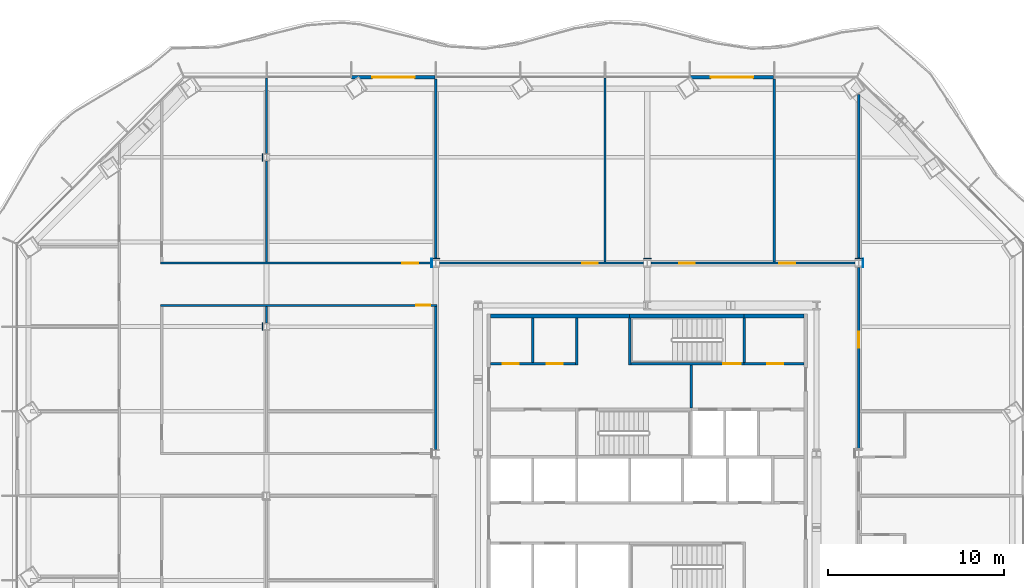
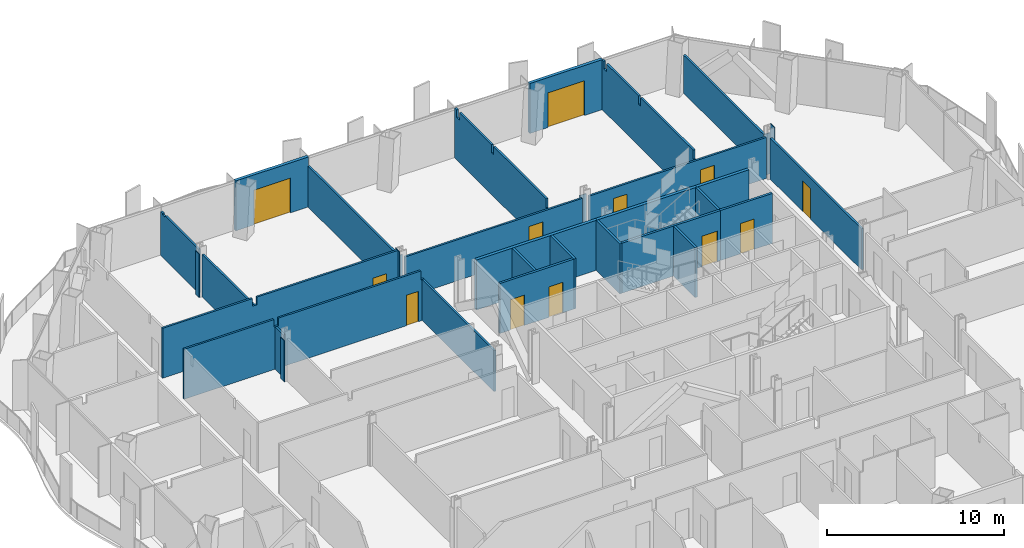
# One storey, part 12 of 20: 33 walls, 12 doors, 12 openings.
"""IFC4 building model written with IfcOpenShell, lengths in metres."""

import ifcopenshell
import ifcopenshell.guid

model = None  # the IFC model being written
_history = None  # IfcOwnerHistory: only IFC2X3 demands one
_inside = {}  # id of a spatial element -> (the spatial element, [elements in it])
_under = {}  # id of a project, library or spatial element -> (it, [spatial elements below it])
_declared = {}  # id of a project -> (the project, [libraries it declares])
_typed = {}  # id of a type object -> (the type object, [elements of that type])
_made_of = {}  # id of a material, layer set ... -> (it, [elements and type objects made of it])


def new_model(schema):
    """Start an empty IFC model of exactly this schema.

    Asked for "IFC4X3", IfcOpenShell would pick the latest addendum, in which some entities
    have other attributes; the version numbers below select the first issue.
    IFC2X3 requires an IfcOwnerHistory on every rooted entity: one is made here for all.
    """
    global model, _history
    if schema == "IFC4X3":
        model = ifcopenshell.file(schema_version=(4, 3, 0, 0))
    else:
        model = ifcopenshell.file(schema=schema)
    _inside.clear()
    _under.clear()
    _declared.clear()
    _typed.clear()
    _made_of.clear()
    _history = None
    if model.schema == "IFC2X3":
        org = make("IfcOrganization", Name="unknown")
        user = make(
            "IfcPersonAndOrganization",
            ThePerson=make("IfcPerson", FamilyName="unknown"),
            TheOrganization=org,
        )
        app = make(
            "IfcApplication",
            ApplicationDeveloper=org,
            Version="unknown",
            ApplicationFullName="unknown",
            ApplicationIdentifier="unknown",
        )
        _history = make(
            "IfcOwnerHistory",
            OwningUser=user,
            OwningApplication=app,
            ChangeAction="ADDED",
            CreationDate=0,
        )
    return model


def make(cls, **values):
    """One entity of the class cls with the attributes given. An attribute that is None is left unset."""
    return model.create_entity(
        cls, **{name: value for name, value in values.items() if value is not None}
    )


def rooted(cls, **values):
    """An entity with a GlobalId (a new one), such as an element, a storey or a relation."""
    return make(cls, GlobalId=ifcopenshell.guid.new(), OwnerHistory=_history, **values)


def si_unit(unit_type, name, prefix=None):
    """IfcSIUnit, for example si_unit("LENGTHUNIT", "METRE", prefix="MILLI")."""
    return make("IfcSIUnit", UnitType=unit_type, Prefix=prefix, Name=name)


def assignment(units):
    """IfcUnitAssignment: the units of a project."""
    return None if units is None else make("IfcUnitAssignment", Units=units)


def point(xyz):
    """IfcCartesianPoint."""
    return None if xyz is None else make("IfcCartesianPoint", Coordinates=xyz)


def direction(xyz):
    """IfcDirection."""
    return None if xyz is None else make("IfcDirection", DirectionRatios=xyz)


def frame(location, z_axis=None, x_axis=None):
    """IfcAxis2Placement3D, a coordinate frame: its origin and axes. An axis left out is left unset."""
    return make(
        "IfcAxis2Placement3D",
        Location=point(location),
        Axis=direction(z_axis),
        RefDirection=direction(x_axis),
    )


def frame_2d(location, x_axis=None):
    """IfcAxis2Placement2D, a coordinate frame in the plane: its origin and x axis."""
    return make(
        "IfcAxis2Placement2D", Location=point(location), RefDirection=direction(x_axis)
    )


def origin():
    """The frame at (0, 0, 0) with its axes left unset."""
    return frame((0.0, 0.0, 0.0))


def place(relative_to, where):
    """IfcLocalPlacement: puts the frame where relative to a parent placement (None: the world)."""
    return make(
        "IfcLocalPlacement", PlacementRelTo=relative_to, RelativePlacement=where
    )


def context(
    kind, dimensions, precision=None, world=None, true_north=None, identifier=None
):
    """IfcGeometricRepresentationContext, for example the 3D "Model" context."""
    return make(
        "IfcGeometricRepresentationContext",
        ContextIdentifier=identifier,
        ContextType=kind,
        CoordinateSpaceDimension=dimensions,
        Precision=precision,
        WorldCoordinateSystem=world,
        TrueNorth=true_north,
    )


def subcontext(parent, identifier, kind, view, scale=None):
    """IfcGeometricRepresentationSubContext, for example "Body" below "Model"."""
    return make(
        "IfcGeometricRepresentationSubContext",
        ContextIdentifier=identifier,
        ContextType=kind,
        ParentContext=parent,
        TargetScale=scale,
        TargetView=view,
    )


def project(units=None, contexts=None):
    """IfcProject with its units and contexts."""
    return rooted(
        "IfcProject",
        Name="project",
        RepresentationContexts=contexts,
        UnitsInContext=assignment(units),
    )


def spatial(cls, under=None, at=None, **own):
    """A site, building, storey or space (cls), placed at a placement, below another one or the project."""
    s = rooted(cls, ObjectPlacement=at, **own)
    if under is not None:
        _under.setdefault(under.id(), (under, []))[1].append(s)
    return s


def polyline(points):
    """IfcPolyline through the points."""
    return make("IfcPolyline", Points=[point(p) for p in points])


def profile(cls, at=None, kind="AREA", **sizes):
    """A parametric profile (cls). Its sizes go by their IFC names, for example OverallWidth=200.0."""
    return make(cls, ProfileType=kind, Position=at, **sizes)


def rectangle(**sizes):
    """IfcRectangleProfileDef."""
    return profile("IfcRectangleProfileDef", **sizes)


def outline(outer, holes=None, kind="AREA"):
    """IfcArbitraryClosedProfileDef: a profile drawn as a closed curve; with holes, ...WithVoids."""
    if holes is None:
        return make("IfcArbitraryClosedProfileDef", ProfileType=kind, OuterCurve=outer)
    return make(
        "IfcArbitraryProfileDefWithVoids",
        ProfileType=kind,
        OuterCurve=outer,
        InnerCurves=holes,
    )


def extrude(swept, where, along, depth):
    """IfcExtrudedAreaSolid: the profile swept, set in the frame where, extruded along a direction by depth."""
    return make(
        "IfcExtrudedAreaSolid",
        SweptArea=swept,
        Position=where,
        ExtrudedDirection=direction(along),
        Depth=depth,
    )


def shape(context_of_items, identifier, shape_type, items):
    """IfcShapeRepresentation: the items that make up one representation, for example the "Body"."""
    return make(
        "IfcShapeRepresentation",
        ContextOfItems=context_of_items,
        RepresentationIdentifier=identifier,
        RepresentationType=shape_type,
        Items=items,
    )


def material(Name=None, Category=None):
    """IfcMaterial."""
    return make("IfcMaterial", Name=Name, Category=Category)


def layer(
    of_material, thickness, ventilated=None, Name=None, Category=None, Priority=None
):
    """IfcMaterialLayer: one layer of a wall or slab, of a material (None: an air gap)."""
    return make(
        "IfcMaterialLayer",
        Material=of_material,
        LayerThickness=thickness,
        IsVentilated=ventilated,
        Name=Name,
        Category=Category,
        Priority=Priority,
    )


def layer_set(layers, Name=None):
    """IfcMaterialLayerSet."""
    return make("IfcMaterialLayerSet", MaterialLayers=layers, LayerSetName=Name)


def made_of(thing, what):
    """Note that an element or type object is made of a material, layer set ...; save() writes the relation."""
    if what is not None:
        _made_of.setdefault(what.id(), (what, []))[1].append(thing)
    return thing


def type_object(cls, material=None, **own):
    """A type object (cls), such as IfcWallType, which elements share."""
    return made_of(rooted(cls, **own), material)


def element(
    cls,
    number,
    at=None,
    inside=None,
    cuts=None,
    type_object=None,
    material=None,
    context=None,
    identifier="Body",
    shape_type=None,
    held_by="IfcProductDefinitionShape",
    body=None,
    shapes=None,
    **own,
):
    """One element of the class cls, such as IfcWall. Its Tag is "e" and its number.

    at: its placement. inside: the storey or other place that contains it. cuts: it is an
    opening in that element (IfcRelVoidsElement). A single representation is given by context,
    identifier, shape_type and body (its items); several are given by shapes. held_by: the class
    of the entity that holds the representations. save() writes the other relations.
    """
    e = rooted(cls, Tag="e%d" % number, ObjectPlacement=at, **own)
    if body is not None:
        shapes = [shape(context, identifier, shape_type, body)]
    if shapes is not None:
        e.Representation = make(held_by, Representations=shapes)
    if inside is not None:
        _inside.setdefault(inside.id(), (inside, []))[1].append(e)
    if cuts is not None:
        rooted(
            "IfcRelVoidsElement", RelatingBuildingElement=cuts, RelatedOpeningElement=e
        )
    if type_object is not None:
        _typed.setdefault(type_object.id(), (type_object, []))[1].append(e)
    return made_of(e, material)


def fill(opening, filler):
    """IfcRelFillsElement: the door or window that sits in an opening."""
    return rooted(
        "IfcRelFillsElement",
        RelatingOpeningElement=opening,
        RelatedBuildingElement=filler,
    )


def aggregate(whole, parts):
    """IfcRelAggregates: a whole, such as a stair, and the parts it consists of."""
    return rooted("IfcRelAggregates", RelatingObject=whole, RelatedObjects=parts)


def save(model, path):
    """Write the relations noted so far, then the file.

    IfcRelAggregates (storeys below a building ...), IfcRelContainedInSpatialStructure (elements
    in a storey), IfcRelDefinesByType, IfcRelAssociatesMaterial and IfcRelDeclares: one each for
    every whole, place, type object, material and project.
    """
    for whole, parts in _under.values():
        aggregate(whole, parts)
    for where, things in _inside.values():
        rooted(
            "IfcRelContainedInSpatialStructure",
            RelatedElements=things,
            RelatingStructure=where,
        )
    for kind, things in _typed.values():
        rooted("IfcRelDefinesByType", RelatedObjects=things, RelatingType=kind)
    for what, things in _made_of.values():
        rooted("IfcRelAssociatesMaterial", RelatedObjects=things, RelatingMaterial=what)
    for by, libraries in _declared.values():
        rooted("IfcRelDeclares", RelatingContext=by, RelatedDefinitions=libraries)
    model.write(path)


model = new_model("IFC4")

# Units and contexts
model_context = context("Model", 3, precision=1e-05, world=origin(), true_north=direction((0.0, 1.0)))
body_context = subcontext(model_context, "Body", "Model", "MODEL_VIEW")
ifc_project = project(units=[si_unit("LENGTHUNIT", "METRE"), si_unit("AREAUNIT", "SQUARE_METRE"), si_unit("VOLUMEUNIT", "CUBIC_METRE"), si_unit("PLANEANGLEUNIT", "RADIAN"), si_unit("MASSUNIT", "GRAM", prefix="KILO")], contexts=[model_context])

# Site, building, storey
site_placement = place(None, origin())
site = spatial("IfcSite", under=ifc_project, at=site_placement, CompositionType="ELEMENT")
building_placement = place(site_placement, origin())
building = spatial("IfcBuilding", under=site, at=building_placement, Name="Cairn Pilgrim Tower", CompositionType="ELEMENT")
storey_placement = place(building_placement, frame((0.0, 0.0, 87.0)))
storey = spatial("IfcBuildingStorey", under=building, at=storey_placement, Name="L20", CompositionType="ELEMENT", Elevation=87.0)

# Wall, opening, door
ifc_material_1 = material(Name="Bronze anodised aluminium insulated sandwich panel with mineral wool fill", Category="aluminium")
ifc_layer_1 = layer(ifc_material_1, 0.199951171875)
ifc_layer_set_1 = layer_set([ifc_layer_1], Name="BRONZE INFILL FRAME WALL 200")
wall_type_1 = type_object("IfcWallType", Name="BRONZE INFILL FRAME WALL 200", PredefinedType="NOTDEFINED", material=ifc_layer_set_1)
wall_1_placement = place(storey_placement, frame((14.3701171875, 23.75, 0.0), z_axis=(0.0, 0.0, 1.0), x_axis=(-1.0, 0.0, 0.0)))
wall_1 = element("IfcWall", 1, at=wall_1_placement, inside=storey, type_object=wall_type_1, Name="Bronze infill frame wall IW-N2", PredefinedType="NOTDEFINED", context=body_context, shape_type="SweptSolid", body=[
    extrude(rectangle(XDim=4.740234375, YDim=0.199951171875, at=frame_2d((2.3701171875, 0.0))), origin(), (0.0, 0.0, 1.0), 3.449951171875),
])
opening_1_placement = place(wall_1_placement, frame((1.169921875, 0.0, 0.0)))
opening_1 = element("IfcOpeningElement", 2, at=opening_1_placement, cuts=wall_1, Name="Opening 2018B", PredefinedType="OPENING", context=body_context, shape_type="SweptSolid", body=[
    extrude(rectangle(XDim=2.39990234375, YDim=2.39990234375, at=frame_2d((1.199951171875, 1.199951171875))), frame((0.0, 0.10986328125, 0.0), z_axis=(0.0, -1.0, 0.0), x_axis=(1.0, 0.0, 0.0)), (0.0, 0.0, 1.0), 0.219970703125),
])
ifc_material_2 = material(Name="Bronze anodised aluminium frame with tinted low-E glass", Category="aluminium")
door_type_1 = type_object("IfcDoorType", Name="BALCONY SLIDING DOOR 2400x2400", OperationType="DOUBLE_DOOR_SLIDING", PredefinedType="DOOR", material=ifc_material_2)
door_1_placement = place(opening_1_placement, origin())
door_1 = element("IfcDoor", 3, at=door_1_placement, inside=storey, type_object=door_type_1, Name="Balcony sliding door 2018B", OperationType="SINGLE_SWING_LEFT", OverallHeight=2.39990234375, OverallWidth=2.39990234375, PredefinedType="DOOR", context=body_context, shape_type="SweptSolid", body=[
    extrude(rectangle(XDim=2.39990234375, YDim=2.39990234375, at=frame_2d((1.199951171875, 1.199951171875))), frame((0.0, 0.02490234375, 0.0), z_axis=(0.0, -1.0, 0.0), x_axis=(1.0, 0.0, 0.0)), (0.0, 0.0, 1.0), 0.050048828125),
])
fill(opening_1, door_1)

wall_2_placement = place(storey_placement, frame((-4.830078125, 23.75, 0.0), z_axis=(0.0, 0.0, 1.0), x_axis=(-1.0, 0.0, 0.0)))
wall_2 = element("IfcWall", 4, at=wall_2_placement, inside=storey, type_object=wall_type_1, Name="Bronze infill frame wall IW-N6", PredefinedType="NOTDEFINED", context=body_context, shape_type="SweptSolid", body=[
    extrude(rectangle(XDim=4.739990234375, YDim=0.199951171875, at=frame_2d((2.3701171875, 0.0))), origin(), (0.0, 0.0, 1.0), 3.449951171875),
])
opening_2_placement = place(wall_2_placement, frame((1.169921875, 0.0, 0.0)))
opening_2 = element("IfcOpeningElement", 5, at=opening_2_placement, cuts=wall_2, Name="Opening 2016B", PredefinedType="OPENING", context=body_context, shape_type="SweptSolid", body=[
    extrude(rectangle(XDim=2.39990234375, YDim=2.39990234375, at=frame_2d((1.199951171875, 1.199951171875))), frame((0.0, 0.10986328125, 0.0), z_axis=(0.0, -1.0, 0.0), x_axis=(1.0, 0.0, 0.0)), (0.0, 0.0, 1.0), 0.219970703125),
])
door_2_placement = place(opening_2_placement, origin())
door_2 = element("IfcDoor", 6, at=door_2_placement, inside=storey, type_object=door_type_1, Name="Balcony sliding door 2016B", OperationType="SINGLE_SWING_LEFT", OverallHeight=2.39990234375, OverallWidth=2.39990234375, PredefinedType="DOOR", context=body_context, shape_type="SweptSolid", body=[
    extrude(rectangle(XDim=2.39990234375, YDim=2.39990234375, at=frame_2d((1.199951171875, 1.199951171875))), frame((0.0, 0.02490234375, 0.0), z_axis=(0.0, -1.0, 0.0), x_axis=(1.0, 0.0, 0.0)), (0.0, 0.0, 1.0), 0.050048828125),
])
fill(opening_2, door_2)

# Walls
ifc_material_3 = material(Name="Concrete C32/40", Category="concrete")
ifc_layer_2 = layer(ifc_material_3, 0.199951171875)
ifc_layer_set_2 = layer_set([ifc_layer_2], Name="CORE OUTER WALL 200 EI 120")
wall_type_2 = type_object("IfcWallType", Name="CORE OUTER WALL 200 EI 120", PredefinedType="SOLIDWALL", material=ifc_layer_set_2)
wall_3_placement = place(storey_placement, frame((-1.699951171875, 10.199951171875, 0.0), z_axis=(0.0, 0.0, 1.0), x_axis=(1.0, 0.0, 0.0)))
element("IfcWall", 7, at=wall_3_placement, inside=storey, type_object=wall_type_2, Name="CW:L20:H11-1", PredefinedType="SOLIDWALL", context=body_context, shape_type="SweptSolid", body=[
    extrude(rectangle(XDim=7.89990234375, YDim=0.199951171875, at=frame_2d((3.949951171875, 0.0))), origin(), (0.0, 0.0, 1.0), 3.449951171875),
])
wall_4_placement = place(storey_placement, frame((12.699951171875, 10.199951171875, 0.0), z_axis=(0.0, 0.0, 1.0), x_axis=(1.0, 0.0, 0.0)))
element("IfcWall", 8, at=wall_4_placement, inside=storey, type_object=wall_type_2, Name="CW:L20:H11-3", PredefinedType="SOLIDWALL", context=body_context, shape_type="SweptSolid", body=[
    extrude(rectangle(XDim=3.400146484375, YDim=0.199951171875, at=frame_2d((1.7001953125, 0.0))), origin(), (0.0, 0.0, 1.0), 3.449951171875),
])

# Wall, openings, doors
ifc_layer_3 = layer(ifc_material_3, 0.14990234375)
ifc_layer_set_3 = layer_set([ifc_layer_3], Name="CORE PARTITION 150 EI 60")
wall_type_3 = type_object("IfcWallType", Name="CORE PARTITION 150 EI 60", PredefinedType="PARTITIONING", material=ifc_layer_set_3)
wall_5_placement = place(storey_placement, frame((-1.699951171875, 7.5, 0.0), z_axis=(0.0, 0.0, 1.0), x_axis=(1.0, 0.0, 0.0)))
wall_5 = element("IfcWall", 9, at=wall_5_placement, inside=storey, type_object=wall_type_3, Name="CW:L20:H09", PredefinedType="PARTITIONING", context=body_context, shape_type="SweptSolid", body=[
    extrude(rectangle(XDim=4.824951171875, YDim=0.14990234375, at=frame_2d((2.41259765625, 0.0))), origin(), (0.0, 0.0, 1.0), 3.449951171875),
])
opening_3_placement = place(wall_5_placement, frame((0.699951171875, 0.0, 0.0)))
opening_3 = element("IfcOpeningElement", 10, at=opening_3_placement, cuts=wall_5, Name="Opening RD-R4W1", PredefinedType="OPENING", context=body_context, shape_type="SweptSolid", body=[
    extrude(rectangle(XDim=0.89990234375, YDim=2.10009765625, at=frame_2d((0.449951171875, 1.050048828125))), frame((0.0, 0.0849609375, 0.0), z_axis=(0.0, -1.0, 0.0), x_axis=(1.0, 0.0, 0.0)), (0.0, 0.0, 1.0), 0.169921875),
])
opening_4_placement = place(wall_5_placement, frame((3.199951171875, 0.0, 0.0)))
opening_4 = element("IfcOpeningElement", 11, at=opening_4_placement, cuts=wall_5, Name="Opening RD-R4W2", PredefinedType="OPENING", context=body_context, shape_type="SweptSolid", body=[
    extrude(rectangle(XDim=0.89990234375, YDim=2.10009765625, at=frame_2d((0.449951171875, 1.050048828125))), frame((0.0, 0.0849609375, 0.0), z_axis=(0.0, -1.0, 0.0), x_axis=(1.0, 0.0, 0.0)), (0.0, 0.0, 1.0), 0.169921875),
])
ifc_material_4 = material(Name="Painted steel", Category="steel")
door_type_2 = type_object("IfcDoorType", Name="SERVICE ROOM DOOR 900x2100", OperationType="SINGLE_SWING_LEFT", PredefinedType="DOOR", material=ifc_material_4)
door_3_placement = place(opening_3_placement, origin())
door_3 = element("IfcDoor", 12, at=door_3_placement, inside=storey, type_object=door_type_2, Name="RD-R4W1", OperationType="SINGLE_SWING_RIGHT", OverallHeight=2.10009765625, OverallWidth=0.89990234375, PredefinedType="DOOR", context=body_context, shape_type="SweptSolid", body=[
    extrude(rectangle(XDim=0.89990234375, YDim=2.10009765625, at=frame_2d((0.449951171875, 1.050048828125))), frame((0.0, 0.02490234375, 0.0), z_axis=(0.0, -1.0, 0.0), x_axis=(1.0, 0.0, 0.0)), (0.0, 0.0, 1.0), 0.050048828125),
])
fill(opening_3, door_3)
door_4_placement = place(opening_4_placement, origin())
door_4 = element("IfcDoor", 13, at=door_4_placement, inside=storey, type_object=door_type_2, Name="RD-R4W2", OperationType="SINGLE_SWING_LEFT", OverallHeight=2.10009765625, OverallWidth=0.89990234375, PredefinedType="DOOR", context=body_context, shape_type="SweptSolid", body=[
    extrude(rectangle(XDim=0.89990234375, YDim=2.10009765625, at=frame_2d((0.449951171875, 1.050048828125))), frame((0.0, 0.02490234375, 0.0), z_axis=(0.0, -1.0, 0.0), x_axis=(1.0, 0.0, 0.0)), (0.0, 0.0, 1.0), 0.050048828125),
])
fill(opening_4, door_4)

# Walls
wall_6_placement = place(storey_placement, frame((0.699951171875, 7.574951171875, 0.0), z_axis=(0.0, 0.0, 1.0), x_axis=(0.0, 1.0, 0.0)))
element("IfcWall", 14, at=wall_6_placement, inside=storey, type_object=wall_type_3, Name="CW:L20:V15", PredefinedType="PARTITIONING", context=body_context, shape_type="SweptSolid", body=[
    extrude(rectangle(XDim=2.525146484375, YDim=0.14990234375, at=frame_2d((1.2626953125, 0.0))), origin(), (0.0, 0.0, 1.0), 3.449951171875),
])
wall_7_placement = place(storey_placement, frame((3.199951171875, 7.425048828125, 0.0), z_axis=(0.0, 0.0, 1.0), x_axis=(0.0, 1.0, 0.0)))
element("IfcWall", 15, at=wall_7_placement, inside=storey, type_object=wall_type_3, Name="CW:L20:V19", PredefinedType="PARTITIONING", context=body_context, shape_type="SweptSolid", body=[
    extrude(rectangle(XDim=2.675048828125, YDim=0.14990234375, at=frame_2d((1.33740234375, 0.0))), origin(), (0.0, 0.0, 1.0), 3.449951171875),
])

# Wall, opening, door
ifc_layer_4 = layer(ifc_material_3, 0.14990234375)
ifc_layer_set_4 = layer_set([ifc_layer_4], Name="CORE SHAFT WALL 150 EI 120")
wall_type_4 = type_object("IfcWallType", Name="CORE SHAFT WALL 150 EI 120", PredefinedType="SOLIDWALL", material=ifc_layer_set_4)
wall_8_placement = place(storey_placement, frame((12.699951171875, 7.5, 0.0), z_axis=(0.0, 0.0, 1.0), x_axis=(1.0, 0.0, 0.0)))
wall_8 = element("IfcWall", 16, at=wall_8_placement, inside=storey, type_object=wall_type_4, Name="CW:L20:H10-2", PredefinedType="SOLIDWALL", context=body_context, shape_type="SweptSolid", body=[
    extrude(rectangle(XDim=3.400146484375, YDim=0.14990234375, at=frame_2d((1.7001953125, 0.0))), origin(), (0.0, 0.0, 1.0), 3.449951171875),
])
opening_5_placement = place(wall_8_placement, frame((1.300048828125, 0.0, 0.0)))
opening_5 = element("IfcOpeningElement", 17, at=opening_5_placement, cuts=wall_8, Name="Opening RD-R4E", PredefinedType="OPENING", context=body_context, shape_type="SweptSolid", body=[
    extrude(rectangle(XDim=0.89990234375, YDim=2.10009765625, at=frame_2d((0.449951171875, 1.050048828125))), frame((0.0, 0.0849609375, 0.0), z_axis=(0.0, -1.0, 0.0), x_axis=(1.0, 0.0, 0.0)), (0.0, 0.0, 1.0), 0.169921875),
])
door_5_placement = place(opening_5_placement, origin())
door_5 = element("IfcDoor", 18, at=door_5_placement, inside=storey, type_object=door_type_2, Name="RD-R4E", OperationType="SINGLE_SWING_RIGHT", OverallHeight=2.10009765625, OverallWidth=0.89990234375, PredefinedType="DOOR", context=body_context, shape_type="SweptSolid", body=[
    extrude(rectangle(XDim=0.89990234375, YDim=2.10009765625, at=frame_2d((0.449951171875, 1.050048828125))), frame((0.0, 0.02490234375, 0.0), z_axis=(0.0, -1.0, 0.0), x_axis=(1.0, 0.0, 0.0)), (0.0, 0.0, 1.0), 0.050048828125),
])
fill(opening_5, door_5)

# Walls
wall_9_placement = place(storey_placement, frame((9.699951171875, 4.97509765625, 0.0), z_axis=(0.0, 0.0, 1.0), x_axis=(0.0, 1.0, 0.0)))
element("IfcWall", 19, at=wall_9_placement, inside=storey, type_object=wall_type_4, Name="CW:L20:V25", PredefinedType="SOLIDWALL", context=body_context, shape_type="SweptSolid", body=[
    extrude(rectangle(XDim=2.449951171875, YDim=0.14990234375, at=frame_2d((1.22509765625, 0.0))), origin(), (0.0, 0.0, 1.0), 3.449951171875),
])
ifc_material_5 = material(Name="Gypsum partition")
ifc_layer_5 = layer(ifc_material_5, 0.125)
ifc_layer_set_5 = layer_set([ifc_layer_5], Name="PARTITION 125 DRYWALL EI 60")
wall_type_5 = type_object("IfcWallType", Name="PARTITION 125 DRYWALL EI 60", PredefinedType="PARTITIONING", material=ifc_layer_set_5)
wall_10_placement = place(storey_placement, frame((-4.800048828125, 2.636962890625, 0.0), z_axis=(0.0, 0.0, 1.0), x_axis=(0.0, 1.0, 0.0)))
element("IfcWall", 20, at=wall_10_placement, inside=storey, type_object=wall_type_5, Name="PARTITION W062", PredefinedType="PARTITIONING", context=body_context, shape_type="SweptSolid", body=[
    extrude(rectangle(XDim=8.1005859375, YDim=0.125, at=frame_2d((4.05029296875, 0.0))), origin(), (0.0, 0.0, 1.0), 2.830078125),
])

# Wall, opening, door
wall_11_placement = place(storey_placement, frame((19.199951171875, 2.636962890625, 0.0), z_axis=(0.0, 0.0, 1.0), x_axis=(0.0, 1.0, 0.0)))
wall_11 = element("IfcWall", 21, at=wall_11_placement, inside=storey, type_object=wall_type_5, Name="PARTITION W063", PredefinedType="PARTITIONING", context=body_context, shape_type="SweptSolid", body=[
    extrude(rectangle(XDim=10.325927734375, YDim=0.125, at=frame_2d((5.1630859375, 0.0))), origin(), (0.0, 0.0, 1.0), 2.830078125),
])
opening_6_placement = place(wall_11_placement, frame((5.762939453125, 0.0, 0.0)))
opening_6 = element("IfcOpeningElement", 22, at=opening_6_placement, cuts=wall_11, Name="Opening 2023", PredefinedType="OPENING", context=body_context, shape_type="SweptSolid", body=[
    extrude(rectangle(XDim=0.89990234375, YDim=2.10009765625, at=frame_2d((0.449951171875, 1.050048828125))), frame((0.0, 0.072509765625, 0.0), z_axis=(0.0, -1.0, 0.0), x_axis=(1.0, 0.0, 0.0)), (0.0, 0.0, 1.0), 0.14501953125),
])
ifc_material_6 = material(Name="Steel-faced fire door leaf", Category="steel")
door_type_3 = type_object("IfcDoorType", Name="FIRE DOOR 900x2100 FD30S", OperationType="NOTDEFINED", PredefinedType="DOOR", material=ifc_material_6)
door_6_placement = place(opening_6_placement, frame((0.89990234375, 0.0, 0.0), z_axis=(0.0, 0.0, 1.0), x_axis=(-1.0, 0.0, 0.0)))
door_6 = element("IfcDoor", 23, at=door_6_placement, inside=storey, type_object=door_type_3, Name="DOOR 2023", OperationType="SINGLE_SWING_RIGHT", OverallHeight=2.10009765625, OverallWidth=0.89990234375, PredefinedType="DOOR", context=body_context, shape_type="SweptSolid", body=[
    extrude(rectangle(XDim=0.89990234375, YDim=2.10009765625, at=frame_2d((0.449951171875, 1.050048828125))), frame((0.0, 0.02490234375, 0.0), z_axis=(0.0, -1.0, 0.0), x_axis=(1.0, 0.0, 0.0)), (0.0, 0.0, 1.0), 0.050048828125),
])
fill(opening_6, door_6)

# Wall
wall_12_placement = place(storey_placement, frame((-14.39990234375, 9.8125, 0.0), z_axis=(0.0, 0.0, 1.0), x_axis=(0.0, 1.0, 0.0)))
element("IfcWall", 24, at=wall_12_placement, inside=storey, type_object=wall_type_5, Name="PARTITION W068", PredefinedType="PARTITIONING", context=body_context, shape_type="SweptSolid", body=[
    extrude(rectangle(XDim=0.925048828125, YDim=0.125, at=frame_2d((0.46240234375, 0.0))), origin(), (0.0, 0.0, 1.0), 2.929931640625),
])

# Wall, opening, door
wall_13_placement = place(storey_placement, frame((-20.41259765625, 10.800048828125, 0.0), z_axis=(0.0, 0.0, 1.0), x_axis=(1.0, 0.0, 0.0)))
wall_13 = element("IfcWall", 25, at=wall_13_placement, inside=storey, type_object=wall_type_5, Name="PARTITION W069", PredefinedType="PARTITIONING", context=body_context, shape_type="SweptSolid", body=[
    extrude(outline(polyline([(0.0, 0.0), (15.675048828125, 0.0), (15.675048828125, 2.830078125), (15.46240234375, 2.830078125), (15.46044921875, 3.449951171875), (6.16259765625, 3.449951171875), (6.160400390625, 2.929931640625), (5.862548828125, 2.929931640625), (5.860595703125, 3.449951171875), (0.0, 3.449951171875), (0.0, 0.0)])), frame((0.0, 0.0625, 0.0), z_axis=(0.0, -1.0, 0.0), x_axis=(1.0, 0.0, 0.0)), (0.0, 0.0, 1.0), 0.125),
])
opening_7_placement = place(wall_13_placement, frame((14.512451171875, 0.0, 0.0)))
opening_7 = element("IfcOpeningElement", 26, at=opening_7_placement, cuts=wall_13, Name="Opening 2028", PredefinedType="OPENING", context=body_context, shape_type="SweptSolid", body=[
    extrude(rectangle(XDim=0.800048828125, YDim=2.10009765625, at=frame_2d((0.39990234375, 1.050048828125))), frame((0.0, 0.072509765625, 0.0), z_axis=(0.0, -1.0, 0.0), x_axis=(1.0, 0.0, 0.0)), (0.0, 0.0, 1.0), 0.14501953125),
])
door_type_4 = type_object("IfcDoorType", Name="FIRE DOOR 800x2100 FD30S", OperationType="NOTDEFINED", PredefinedType="DOOR", material=ifc_material_6)
door_7_placement = place(opening_7_placement, frame((0.800048828125, 0.0, 0.0), z_axis=(0.0, 0.0, 1.0), x_axis=(-1.0, 0.0, 0.0)))
door_7 = element("IfcDoor", 27, at=door_7_placement, inside=storey, type_object=door_type_4, Name="DOOR 2028", OperationType="SINGLE_SWING_LEFT", OverallHeight=2.10009765625, OverallWidth=0.800048828125, PredefinedType="DOOR", context=body_context, shape_type="SweptSolid", body=[
    extrude(rectangle(XDim=0.800048828125, YDim=2.10009765625, at=frame_2d((0.39990234375, 1.050048828125))), frame((0.0, 0.02490234375, 0.0), z_axis=(0.0, -1.0, 0.0), x_axis=(1.0, 0.0, 0.0)), (0.0, 0.0, 1.0), 0.050048828125),
])
fill(opening_7, door_7)

wall_14_placement = place(storey_placement, frame((-20.41259765625, 13.199951171875, 0.0), z_axis=(0.0, 0.0, 1.0), x_axis=(1.0, 0.0, 0.0)))
wall_14 = element("IfcWall", 28, at=wall_14_placement, inside=storey, type_object=wall_type_5, Name="PARTITION W070", PredefinedType="PARTITIONING", context=body_context, shape_type="SweptSolid", body=[
    extrude(outline(polyline([(0.0, 0.0), (15.400634765625, 0.0), (15.400390625, 3.449951171875), (6.16259765625, 3.449951171875), (6.160400390625, 2.929931640625), (5.862548828125, 2.929931640625), (5.860595703125, 3.449951171875), (0.0, 3.449951171875), (0.0, 0.0)])), frame((0.0, 0.0625, 0.0), z_axis=(0.0, -1.0, 0.0), x_axis=(1.0, 0.0, 0.0)), (0.0, 0.0, 1.0), 0.125),
])
opening_8_placement = place(wall_14_placement, frame((13.71240234375, 0.0, 0.0)))
opening_8 = element("IfcOpeningElement", 29, at=opening_8_placement, cuts=wall_14, Name="Opening 2016", PredefinedType="OPENING", context=body_context, shape_type="SweptSolid", body=[
    extrude(rectangle(XDim=0.89990234375, YDim=2.10009765625, at=frame_2d((0.449951171875, 1.050048828125))), frame((0.0, 0.072509765625, 0.0), z_axis=(0.0, -1.0, 0.0), x_axis=(1.0, 0.0, 0.0)), (0.0, 0.0, 1.0), 0.14501953125),
])
door_8_placement = place(opening_8_placement, origin())
door_8 = element("IfcDoor", 30, at=door_8_placement, inside=storey, type_object=door_type_3, Name="DOOR 2016", OperationType="SINGLE_SWING_LEFT", OverallHeight=2.10009765625, OverallWidth=0.89990234375, PredefinedType="DOOR", context=body_context, shape_type="SweptSolid", body=[
    extrude(rectangle(XDim=0.89990234375, YDim=2.10009765625, at=frame_2d((0.449951171875, 1.050048828125))), frame((0.0, 0.02490234375, 0.0), z_axis=(0.0, -1.0, 0.0), x_axis=(1.0, 0.0, 0.0)), (0.0, 0.0, 1.0), 0.050048828125),
])
fill(opening_8, door_8)

wall_15_placement = place(storey_placement, frame((-4.587890625, 13.199951171875, 0.0), z_axis=(0.0, 0.0, 1.0), x_axis=(1.0, 0.0, 0.0)))
wall_15 = element("IfcWall", 31, at=wall_15_placement, inside=storey, type_object=wall_type_5, Name="PARTITION W071", PredefinedType="PARTITIONING", context=body_context, shape_type="SweptSolid", body=[
    extrude(rectangle(XDim=11.575927734375, YDim=0.125, at=frame_2d((5.7880859375, 0.0))), origin(), (0.0, 0.0, 1.0), 2.830078125),
])
opening_9_placement = place(wall_15_placement, frame((8.087890625, 0.0, 0.0)))
opening_9 = element("IfcOpeningElement", 32, at=opening_9_placement, cuts=wall_15, Name="Opening 2017", PredefinedType="OPENING", context=body_context, shape_type="SweptSolid", body=[
    extrude(rectangle(XDim=0.89990234375, YDim=2.10009765625, at=frame_2d((0.449951171875, 1.050048828125))), frame((0.0, 0.072509765625, 0.0), z_axis=(0.0, -1.0, 0.0), x_axis=(1.0, 0.0, 0.0)), (0.0, 0.0, 1.0), 0.14501953125),
])
door_9_placement = place(opening_9_placement, origin())
door_9 = element("IfcDoor", 33, at=door_9_placement, inside=storey, type_object=door_type_3, Name="DOOR 2017", OperationType="SINGLE_SWING_RIGHT", OverallHeight=2.10009765625, OverallWidth=0.89990234375, PredefinedType="DOOR", context=body_context, shape_type="SweptSolid", body=[
    extrude(rectangle(XDim=0.89990234375, YDim=2.10009765625, at=frame_2d((0.449951171875, 1.050048828125))), frame((0.0, 0.02490234375, 0.0), z_axis=(0.0, -1.0, 0.0), x_axis=(1.0, 0.0, 0.0)), (0.0, 0.0, 1.0), 0.050048828125),
])
fill(opening_9, door_9)

# Wall, openings, doors
wall_16_placement = place(storey_placement, frame((7.412109375, 13.199951171875, 0.0), z_axis=(0.0, 0.0, 1.0), x_axis=(1.0, 0.0, 0.0)))
wall_16 = element("IfcWall", 34, at=wall_16_placement, inside=storey, type_object=wall_type_5, Name="PARTITION W072", PredefinedType="PARTITIONING", context=body_context, shape_type="SweptSolid", body=[
    extrude(rectangle(XDim=11.575927734375, YDim=0.125, at=frame_2d((5.7880859375, 0.0))), origin(), (0.0, 0.0, 1.0), 2.830078125),
])
opening_10_placement = place(wall_16_placement, frame((1.587890625, 0.0, 0.0)))
opening_10 = element("IfcOpeningElement", 35, at=opening_10_placement, cuts=wall_16, Name="Opening 2018", PredefinedType="OPENING", context=body_context, shape_type="SweptSolid", body=[
    extrude(rectangle(XDim=0.89990234375, YDim=2.10009765625, at=frame_2d((0.449951171875, 1.050048828125))), frame((0.0, 0.072509765625, 0.0), z_axis=(0.0, -1.0, 0.0), x_axis=(1.0, 0.0, 0.0)), (0.0, 0.0, 1.0), 0.14501953125),
])
opening_11_placement = place(wall_16_placement, frame((7.2880859375, 0.0, 0.0)))
opening_11 = element("IfcOpeningElement", 36, at=opening_11_placement, cuts=wall_16, Name="Opening 2019", PredefinedType="OPENING", context=body_context, shape_type="SweptSolid", body=[
    extrude(rectangle(XDim=0.89990234375, YDim=2.10009765625, at=frame_2d((0.449951171875, 1.050048828125))), frame((0.0, 0.072509765625, 0.0), z_axis=(0.0, -1.0, 0.0), x_axis=(1.0, 0.0, 0.0)), (0.0, 0.0, 1.0), 0.14501953125),
])
door_10_placement = place(opening_10_placement, origin())
door_10 = element("IfcDoor", 37, at=door_10_placement, inside=storey, type_object=door_type_3, Name="DOOR 2018", OperationType="SINGLE_SWING_LEFT", OverallHeight=2.10009765625, OverallWidth=0.89990234375, PredefinedType="DOOR", context=body_context, shape_type="SweptSolid", body=[
    extrude(rectangle(XDim=0.89990234375, YDim=2.10009765625, at=frame_2d((0.449951171875, 1.050048828125))), frame((0.0, 0.02490234375, 0.0), z_axis=(0.0, -1.0, 0.0), x_axis=(1.0, 0.0, 0.0)), (0.0, 0.0, 1.0), 0.050048828125),
])
fill(opening_10, door_10)
door_11_placement = place(opening_11_placement, origin())
door_11 = element("IfcDoor", 38, at=door_11_placement, inside=storey, type_object=door_type_3, Name="DOOR 2019", OperationType="SINGLE_SWING_RIGHT", OverallHeight=2.10009765625, OverallWidth=0.89990234375, PredefinedType="DOOR", context=body_context, shape_type="SweptSolid", body=[
    extrude(rectangle(XDim=0.89990234375, YDim=2.10009765625, at=frame_2d((0.449951171875, 1.050048828125))), frame((0.0, 0.02490234375, 0.0), z_axis=(0.0, -1.0, 0.0), x_axis=(1.0, 0.0, 0.0)), (0.0, 0.0, 1.0), 0.050048828125),
])
fill(opening_11, door_11)

# Walls
wall_17_placement = place(storey_placement, frame((-14.39990234375, 13.262451171875, 0.0), z_axis=(0.0, 0.0, 1.0), x_axis=(0.0, 1.0, 0.0)))
element("IfcWall", 39, at=wall_17_placement, inside=storey, type_object=wall_type_5, Name="PARTITION W074", PredefinedType="PARTITIONING", context=body_context, shape_type="SweptSolid", body=[
    extrude(rectangle(XDim=5.72509765625, YDim=0.125, at=frame_2d((2.862548828125, 0.0))), origin(), (0.0, 0.0, 1.0), 2.929931640625),
])
wall_18_placement = place(storey_placement, frame((4.800048828125, 13.262451171875, 0.0), z_axis=(0.0, 0.0, 1.0), x_axis=(0.0, 1.0, 0.0)))
element("IfcWall", 40, at=wall_18_placement, inside=storey, type_object=wall_type_5, Name="PARTITION W075", PredefinedType="PARTITIONING", context=body_context, shape_type="SweptSolid", body=[
    extrude(outline(polyline([(0.0, 0.0), (10.427490234375, 0.0), (10.427490234375, 3.449951171875), (10.201171875, 3.449951171875), (10.19921875, 2.929931640625), (9.901123046875, 2.929931640625), (9.899169921875, 3.449951171875), (6.256103515625, 3.449951171875), (6.254150390625, 2.8798828125), (6.046142578125, 2.8798828125), (6.044189453125, 3.449951171875), (0.08740234375, 3.449951171875), (0.08544921875, 2.830078125), (0.0, 2.830078125), (0.0, 0.0)])), frame((0.0, 0.0625, 0.0), z_axis=(0.0, -1.0, 0.0), x_axis=(1.0, 0.0, 0.0)), (0.0, 0.0, 1.0), 0.125),
])
wall_19_placement = place(storey_placement, frame((14.39990234375, 13.262451171875, 0.0), z_axis=(0.0, 0.0, 1.0), x_axis=(0.0, 1.0, 0.0)))
element("IfcWall", 41, at=wall_19_placement, inside=storey, type_object=wall_type_5, Name="PARTITION W076", PredefinedType="PARTITIONING", context=body_context, shape_type="SweptSolid", body=[
    extrude(outline(polyline([(0.0, 0.0), (10.387451171875, 0.0), (10.387451171875, 3.449951171875), (10.201171875, 3.449951171875), (10.19921875, 2.929931640625), (9.901123046875, 2.929931640625), (9.899169921875, 3.449951171875), (6.256103515625, 3.449951171875), (6.254150390625, 2.8798828125), (6.046142578125, 2.8798828125), (6.044189453125, 3.449951171875), (0.08740234375, 3.449951171875), (0.08544921875, 2.830078125), (0.0, 2.830078125), (0.0, 0.0)])), frame((0.0, 0.0625, 0.0), z_axis=(0.0, -1.0, 0.0), x_axis=(1.0, 0.0, 0.0)), (0.0, 0.0, 1.0), 0.125),
])
wall_20_placement = place(storey_placement, frame((-4.800048828125, 13.43701171875, 0.0), z_axis=(0.0, 0.0, 1.0), x_axis=(0.0, 1.0, 0.0)))
element("IfcWall", 42, at=wall_20_placement, inside=storey, type_object=wall_type_5, Name="PARTITION W077", PredefinedType="PARTITIONING", context=body_context, shape_type="SweptSolid", body=[
    extrude(rectangle(XDim=10.212890625, YDim=0.125, at=frame_2d((5.1064453125, 0.0))), origin(), (0.0, 0.0, 1.0), 2.830078125),
])
wall_21_placement = place(storey_placement, frame((19.199951171875, 13.43701171875, 0.0), z_axis=(0.0, 0.0, 1.0), x_axis=(0.0, 1.0, 0.0)))
element("IfcWall", 43, at=wall_21_placement, inside=storey, type_object=wall_type_5, Name="PARTITION W078", PredefinedType="PARTITIONING", context=body_context, shape_type="SweptSolid", body=[
    extrude(outline(polyline([(0.0, 0.0), (9.3291015625, 0.0), (9.3291015625, 0.862548828125), (9.3291015625, 1.72509765625), (9.3291015625, 2.58740234375), (9.3291015625, 2.6298828125), (0.0, 2.6298828125), (0.0, 2.58740234375), (0.0, 1.72509765625), (0.0, 0.862548828125), (0.0, 0.0)])), frame((0.0, 0.0625, 0.0), z_axis=(0.0, -1.0, 0.0), x_axis=(1.0, 0.0, 0.0)), (0.0, 0.0, 1.0), 0.125),
])
wall_22_placement = place(storey_placement, frame((-14.39990234375, 19.41259765625, 0.0), z_axis=(0.0, 0.0, 1.0), x_axis=(0.0, 1.0, 0.0)))
element("IfcWall", 44, at=wall_22_placement, inside=storey, type_object=wall_type_5, Name="PARTITION W081", PredefinedType="PARTITIONING", context=body_context, shape_type="SweptSolid", body=[
    extrude(outline(polyline([(0.0, 0.0), (4.27734375, 0.0), (4.277587890625, 3.030029296875), (4.05126953125, 3.030029296875), (4.04931640625, 2.929931640625), (3.751220703125, 2.929931640625), (3.749267578125, 3.030029296875), (0.0, 3.030029296875), (0.0, 0.0)])), frame((0.0, 0.0625, 0.0), z_axis=(0.0, -1.0, 0.0), x_axis=(1.0, 0.0, 0.0)), (0.0, 0.0, 1.0), 0.125),
])
ifc_layer_6 = layer(ifc_material_5, 0.050048828125)
ifc_layer_set_6 = layer_set([ifc_layer_6], Name="PARTITION 50 DRYWALL EI 60")
wall_type_6 = type_object("IfcWallType", Name="PARTITION 50 DRYWALL EI 60", PredefinedType="PARTITIONING", material=ifc_layer_set_6)
wall_23_placement = place(storey_placement, frame((19.43701171875, 12.962890625, 0.0), z_axis=(0.0, 0.0, 1.0), x_axis=(0.0, 1.0, 0.0)))
element("IfcWall", 45, at=wall_23_placement, inside=storey, type_object=wall_type_6, Name="COLUMN CASING WC04", PredefinedType="PARTITIONING", context=body_context, shape_type="SweptSolid", body=[
    extrude(rectangle(XDim=0.47412109375, YDim=0.050048828125, at=frame_2d((0.237060546875, 0.0))), origin(), (0.0, 0.0, 1.0), 3.449951171875),
])
wall_24_placement = place(storey_placement, frame((-14.62939453125, 9.387451171875, 0.0), z_axis=(0.0, 0.0, 1.0), x_axis=(0.0, 1.0, 0.0)))
element("IfcWall", 46, at=wall_24_placement, inside=storey, type_object=wall_type_6, Name="COLUMN CASING WC14", PredefinedType="PARTITIONING", context=body_context, shape_type="SweptSolid", body=[
    extrude(rectangle(XDim=0.425048828125, YDim=0.050048828125, at=frame_2d((0.21240234375, 0.0))), origin(), (0.0, 0.0, 1.0), 2.830078125),
])
for number, where, z_axis, x_axis, name in (
    (47, (-5.011962890625, 13.4619140625, 0.0), (0.0, 0.0, 1.0), (1.0, 0.0, 0.0), "COLUMN CASING WC16"),
    (48, (6.988037109375, 13.4619140625, 0.0), (0.0, 0.0, 1.0), (1.0, 0.0, 0.0), "COLUMN CASING WC17"),
    (49, (18.988037109375, 13.4619140625, 0.0), (0.0, 0.0, 1.0), (1.0, 0.0, 0.0), "COLUMN CASING WC18"),
):
    element("IfcWall", number, at=place(storey_placement, frame(where, z_axis=z_axis, x_axis=x_axis)), inside=storey, type_object=wall_type_6, Name=name, PredefinedType="PARTITIONING", context=body_context, shape_type="SweptSolid", body=[
        extrude(rectangle(XDim=0.424072265625, YDim=0.050048828125, at=frame_2d((0.2119140625, 0.0))), origin(), (0.0, 0.0, 1.0), 2.830078125),
    ])
wall_25_placement = place(storey_placement, frame((-14.62939453125, 18.987548828125, 0.0), z_axis=(0.0, 0.0, 1.0), x_axis=(0.0, 1.0, 0.0)))
element("IfcWall", 50, at=wall_25_placement, inside=storey, type_object=wall_type_6, Name="COLUMN CASING WC19", PredefinedType="PARTITIONING", context=body_context, shape_type="SweptSolid", body=[
    extrude(rectangle(XDim=0.425048828125, YDim=0.050048828125, at=frame_2d((0.21240234375, 0.0))), origin(), (0.0, 0.0, 1.0), 2.97998046875),
])
wall_26_placement = place(storey_placement, frame((-5.037109375, 12.962890625, 0.0), z_axis=(0.0, 0.0, 1.0), x_axis=(0.0, 1.0, 0.0)))
element("IfcWall", 51, at=wall_26_placement, inside=storey, type_object=wall_type_6, Name="COLUMN CASING WC20", PredefinedType="PARTITIONING", context=body_context, shape_type="SweptSolid", body=[
    extrude(rectangle(XDim=0.47412109375, YDim=0.050048828125, at=frame_2d((0.237060546875, 0.0))), origin(), (0.0, 0.0, 1.0), 3.449951171875),
])

# Wall, opening, door
ifc_material_7 = material(Name="Concrete C35/45", Category="concrete")
ifc_layer_7 = layer(ifc_material_7, 0.14990234375)
ifc_layer_set_7 = layer_set([ifc_layer_7], Name="STAIR SHAFT WALL 150 EI 120")
wall_type_7 = type_object("IfcWallType", Name="STAIR SHAFT WALL 150 EI 120", PredefinedType="SOLIDWALL", material=ifc_layer_set_7)
wall_27_placement = place(storey_placement, frame((6.27490234375, 7.5, 0.0), z_axis=(0.0, 0.0, 1.0), x_axis=(1.0, 0.0, 0.0)))
wall_27 = element("IfcWall", 52, at=wall_27_placement, inside=storey, type_object=wall_type_7, Name="CW:L20:H10-1", PredefinedType="SOLIDWALL", context=body_context, shape_type="SweptSolid", body=[
    extrude(rectangle(XDim=6.425048828125, YDim=0.14990234375, at=frame_2d((3.21240234375, 0.0))), origin(), (0.0, 0.0, 1.0), 3.449951171875),
])
opening_12_placement = place(wall_27_placement, frame((5.22509765625, 0.0, 0.0)))
opening_12 = element("IfcOpeningElement", 53, at=opening_12_placement, cuts=wall_27, Name="Opening SD-C", PredefinedType="OPENING", context=body_context, shape_type="SweptSolid", body=[
    extrude(rectangle(XDim=1.0, YDim=2.10009765625, at=frame_2d((0.5, 1.050048828125))), frame((0.0, 0.0849609375, 0.0), z_axis=(0.0, -1.0, 0.0), x_axis=(1.0, 0.0, 0.0)), (0.0, 0.0, 1.0), 0.169921875),
])
door_type_5 = type_object("IfcDoorType", Name="STAIR DOOR FD60S 1000x2100", OperationType="SINGLE_SWING_LEFT", PredefinedType="DOOR", material=ifc_material_4)
door_12_placement = place(opening_12_placement, origin())
door_12 = element("IfcDoor", 54, at=door_12_placement, inside=storey, type_object=door_type_5, Name="SD-C", OperationType="SINGLE_SWING_LEFT", OverallHeight=2.10009765625, OverallWidth=1.0, PredefinedType="DOOR", context=body_context, shape_type="SweptSolid", body=[
    extrude(rectangle(XDim=1.0, YDim=2.10009765625, at=frame_2d((0.5, 1.050048828125))), frame((0.0, 0.02490234375, 0.0), z_axis=(0.0, -1.0, 0.0), x_axis=(1.0, 0.0, 0.0)), (0.0, 0.0, 1.0), 0.050048828125),
])
fill(opening_12, door_12)

# Walls
wall_28_placement = place(storey_placement, frame((6.199951171875, 7.425048828125, 0.0), z_axis=(0.0, 0.0, 1.0), x_axis=(0.0, 1.0, 0.0)))
element("IfcWall", 55, at=wall_28_placement, inside=storey, type_object=wall_type_7, Name="CW:L20:V22", PredefinedType="SOLIDWALL", context=body_context, shape_type="SweptSolid", body=[
    extrude(rectangle(XDim=2.675048828125, YDim=0.14990234375, at=frame_2d((1.33740234375, 0.0))), origin(), (0.0, 0.0, 1.0), 3.449951171875),
])
wall_29_placement = place(storey_placement, frame((12.699951171875, 7.574951171875, 0.0), z_axis=(0.0, 0.0, 1.0), x_axis=(0.0, 1.0, 0.0)))
element("IfcWall", 56, at=wall_29_placement, inside=storey, type_object=wall_type_7, Name="CW:L20:V29", PredefinedType="SOLIDWALL", context=body_context, shape_type="SweptSolid", body=[
    extrude(rectangle(XDim=2.525146484375, YDim=0.14990234375, at=frame_2d((1.2626953125, 0.0))), origin(), (0.0, 0.0, 1.0), 3.449951171875),
])
ifc_layer_8 = layer(ifc_material_7, 0.199951171875)
ifc_layer_set_8 = layer_set([ifc_layer_8], Name="STAIR SHAFT WALL 200 EI 120")
wall_type_8 = type_object("IfcWallType", Name="STAIR SHAFT WALL 200 EI 120", PredefinedType="SOLIDWALL", material=ifc_layer_set_8)
wall_30_placement = place(storey_placement, frame((6.199951171875, 10.199951171875, 0.0), z_axis=(0.0, 0.0, 1.0), x_axis=(1.0, 0.0, 0.0)))
element("IfcWall", 57, at=wall_30_placement, inside=storey, type_object=wall_type_8, Name="CW:L20:H11-2", PredefinedType="SOLIDWALL", context=body_context, shape_type="SweptSolid", body=[
    extrude(rectangle(XDim=6.5, YDim=0.199951171875, at=frame_2d((3.25, 0.0))), origin(), (0.0, 0.0, 1.0), 3.449951171875),
])

save(model, "model.ifc")
